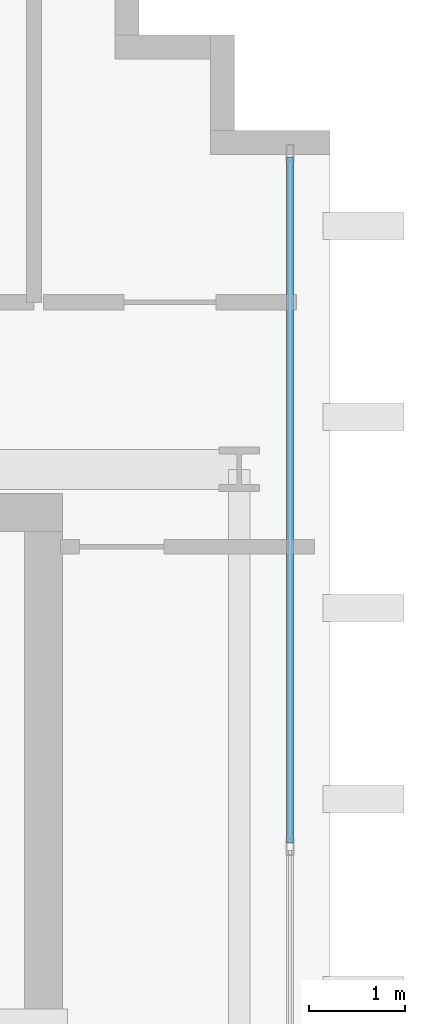
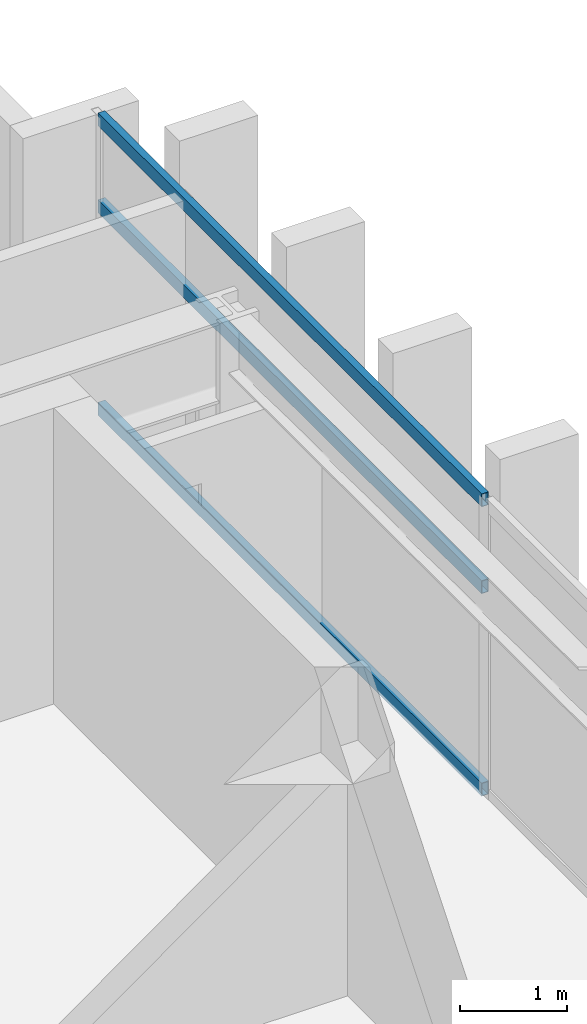
# One storey, part 15 of 25: 3 members, 1 element without a shape of its own.
"""IFC4 building model written with IfcOpenShell, lengths in metres."""

from ifc_helpers import new_model, si_unit, direction, frame, origin, origin_2d, place, context, subcontext, project, spatial, hollow_rectangle, extrude, source, transform, mapped, material, layer, layer_set, material_profile, profile_set, type_object, element, aggregate, save


model = new_model("IFC4")

# Units and contexts
model_context = context("Model", 3, precision=1e-05, world=origin(), true_north=direction((0.0, 1.0)))
body_context = subcontext(model_context, "Body", "Model", "MODEL_VIEW")
ifc_project = project(units=[si_unit("LENGTHUNIT", "METRE"), si_unit("AREAUNIT", "SQUARE_METRE"), si_unit("VOLUMEUNIT", "CUBIC_METRE"), si_unit("PLANEANGLEUNIT", "RADIAN"), si_unit("MASSUNIT", "GRAM", prefix="KILO")], contexts=[model_context])

# Site, building, storey
site_placement = place(None, origin())
site = spatial("IfcSite", under=ifc_project, at=site_placement, CompositionType="ELEMENT")
building_placement = place(site_placement, origin())
building = spatial("IfcBuilding", under=site, at=building_placement, Name="Ocotamira Hotel", CompositionType="ELEMENT")
storey_placement = place(building_placement, frame((0.0, 0.0, 254.39990234375)))
storey = spatial("IfcBuildingStorey", under=building, at=storey_placement, Name="L64", CompositionType="ELEMENT", Elevation=254.39990234375)

# Curtain wall, members
ifc_material_1 = material(Name="Anodised pale-metal aluminium and solar glass", Category="aluminium")
ifc_layer = layer(ifc_material_1, 0.2099609375)
ifc_layer_set = layer_set([ifc_layer], Name="Anodised pale-metal aluminium and solar glass")
curtain_wall_type = type_object("IfcCurtainWallType", Name="CW-SYS7-PEAK", PredefinedType="NOTDEFINED", material=ifc_layer_set)
curtain_wall_placement = place(storey_placement, origin())
curtain_wall = element("IfcCurtainWall", 1, at=curtain_wall_placement, inside=storey, type_object=curtain_wall_type, Name="L64 Curtain Wall CW-7 CW-L64-EO2", PredefinedType="NOTDEFINED")
ifc_material_2 = material(Name="Anodised pale-metal aluminium 6063-T6", Category="aluminium")
ifc_material_profile = material_profile(ifc_material_2, hollow_rectangle(XDim=0.074951171875, YDim=0.14990234375, WallThickness=0.006103515625, at=origin_2d()), Name="HSS150X75X6")
ifc_profile_set = profile_set([ifc_material_profile], Name="Anodised pale-metal aluminium 6063-T6")
member_type = type_object("IfcMemberType", Name="CWT-150X75", PredefinedType="USERDEFINED", material=ifc_profile_set)
shared_shape = source(origin(), body_context, "Body", "SweptSolid", [
    extrude(hollow_rectangle(XDim=0.074951171875, YDim=0.14990234375, WallThickness=0.006103515625, at=origin_2d()), origin(), (0.0, 0.0, 1.0), 7.179931640625),
])
member_1_placement = place(storey_placement, frame((55.580078125, 33.5400390625, 0.03759765625), z_axis=(0.0, 1.0, 0.0), x_axis=(-1.0, 0.0, 0.0)))
member_1 = element("IfcMember", 2, at=member_1_placement, type_object=member_type, Name="CW-7 transom 2.1", ObjectType="TRANSOM", PredefinedType="USERDEFINED", context=body_context, shape_type="MappedRepresentation", body=[
    mapped(shared_shape, transform((0.0, 0.0, 0.0), scale=1.0)),
])
member_2_placement = place(storey_placement, frame((55.580078125, 33.5400390625, 2.35009765625), z_axis=(0.0, 1.0, 0.0), x_axis=(-1.0, 0.0, 0.0)))
member_2 = element("IfcMember", 3, at=member_2_placement, type_object=member_type, Name="CW-7 transom 2.2", ObjectType="TRANSOM", PredefinedType="USERDEFINED", context=body_context, shape_type="MappedRepresentation", body=[
    mapped(shared_shape, transform((0.0, 0.0, 0.0), scale=1.0)),
])
member_3_placement = place(storey_placement, frame((55.580078125, 33.5400390625, 3.342529296875), z_axis=(0.0, 1.0, 0.0), x_axis=(-1.0, 0.0, 0.0)))
member_3 = element("IfcMember", 4, at=member_3_placement, type_object=member_type, Name="CW-7 transom 2.3", ObjectType="TRANSOM", PredefinedType="USERDEFINED", context=body_context, shape_type="MappedRepresentation", body=[
    mapped(shared_shape, transform((0.0, 0.0, 0.0), scale=1.0)),
])
aggregate(curtain_wall, [member_1, member_2, member_3])

save(model, "model.ifc")
